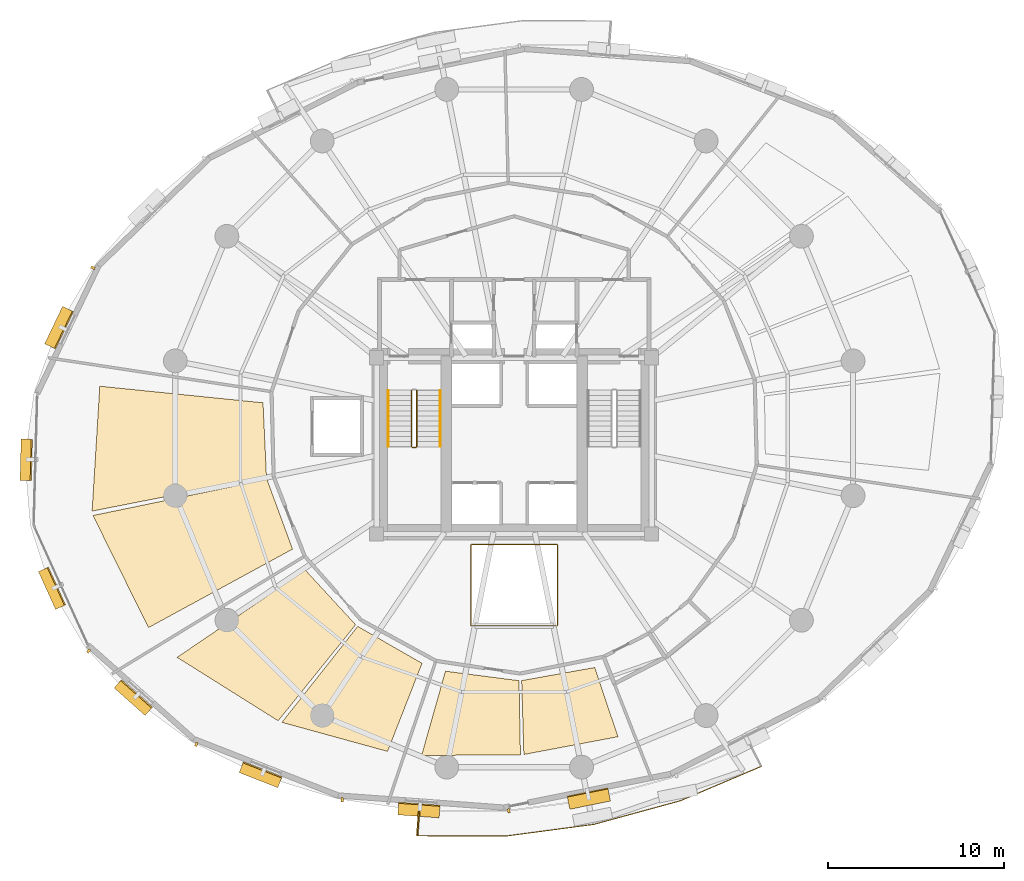
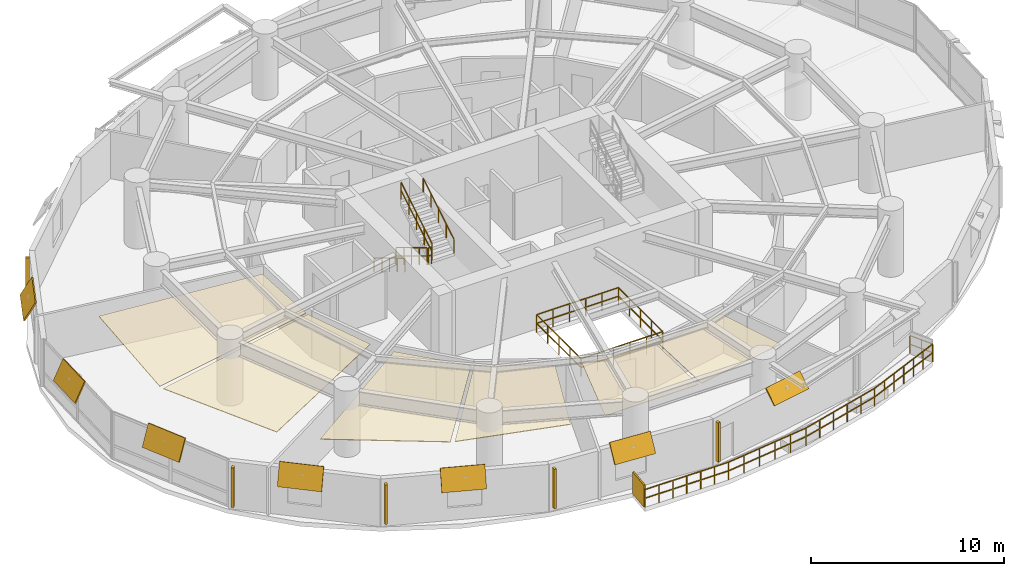
# One storey, part 15 of 17: 13 shading devices, 7 railings, 6 coverings.
"""IFC4 building model written with IfcOpenShell, lengths in metres."""

from ifc_helpers import new_model, si_unit, direction, frame, origin, origin_2d, place, context, subcontext, project, spatial, polyline, rectangle, outline, extrude, material, layer, layer_set, type_object, element, save


model = new_model("IFC4")

# Units and contexts
model_context = context("Model", 3, precision=1e-05, world=origin(), true_north=direction((0.0, 1.0)))
body_context = subcontext(model_context, "Body", "Model", "MODEL_VIEW")
ifc_project = project(units=[si_unit("LENGTHUNIT", "METRE"), si_unit("AREAUNIT", "SQUARE_METRE"), si_unit("VOLUMEUNIT", "CUBIC_METRE"), si_unit("PLANEANGLEUNIT", "RADIAN"), si_unit("MASSUNIT", "GRAM", prefix="KILO"), si_unit("THERMODYNAMICTEMPERATUREUNIT", "KELVIN"), si_unit("POWERUNIT", "WATT")], contexts=[model_context])

# Site, building, storey
site_placement = place(None, origin())
site = spatial("IfcSite", under=ifc_project, at=site_placement, CompositionType="ELEMENT")
building_placement = place(site_placement, origin())
building = spatial("IfcBuilding", under=site, at=building_placement, Name="Ocrelia Relay Tower", CompositionType="ELEMENT")
storey_placement = place(building_placement, frame((0.0, 0.0, 80.39990234375)))
storey = spatial("IfcBuildingStorey", under=building, at=storey_placement, Name="L18", CompositionType="ELEMENT", Elevation=80.39990234375)

# Coverings
ifc_material_1 = material(Name="Mineral-fiber acoustic ceiling tile", Category="gypsum")
ifc_layer_1 = layer(ifc_material_1, 0.0400390625, Name="Mineral-fiber acoustic ceiling tile")
ifc_layer_set_1 = layer_set([ifc_layer_1], Name="Mineral-fiber acoustic ceiling tile")
covering_type_1 = type_object("IfcCoveringType", Name="COV-CEIL-ACOUSTIC", PredefinedType="CEILING", material=ifc_layer_set_1)
covering_1_placement = place(storey_placement, frame((0.0, 0.0, 2.920166015625)))
element("IfcCovering", 1, at=covering_1_placement, inside=storey, type_object=covering_type_1, Name="L18 Carrier Briefing Room Suspended Ceiling 1", PredefinedType="CEILING", context=body_context, shape_type="SweptSolid", body=[
    extrude(outline(polyline([(22.15625, 17.950927734375), (14.87890625, 13.00537109375), (20.610107421875, 9.406005859375), (25.007568359375, 14.855712890625), (22.15625, 17.950927734375)])), origin(), (0.0, 0.0, 1.0), 0.0400390625),
])
covering_2_placement = place(storey_placement, frame((0.0, 0.0, 2.920166015625)))
element("IfcCovering", 2, at=covering_2_placement, inside=storey, type_object=covering_type_1, Name="L18 Carrier Briefing Room Suspended Ceiling 2", PredefinedType="CEILING", context=body_context, shape_type="SweptSolid", body=[
    extrude(outline(polyline([(25.124755859375, 14.761962890625), (20.823974609375, 9.31640625), (26.81640625, 7.669189453125), (28.77490234375, 12.667236328125), (25.124755859375, 14.761962890625)])), origin(), (0.0, 0.0, 1.0), 0.0400390625),
])
covering_3_placement = place(storey_placement, frame((0.0, 0.0, 2.920166015625)))
element("IfcCovering", 3, at=covering_3_placement, inside=storey, type_object=covering_type_1, Name="L18 Shift Staff Lounge Suspended Ceiling 1", PredefinedType="CEILING", context=body_context, shape_type="SweptSolid", body=[
    extrude(outline(polyline([(30.100830078125, 12.220947265625), (28.747802734375, 7.439208984375), (34.355712890625, 7.47509765625), (34.27490234375, 11.6826171875), (30.100830078125, 12.220947265625)])), origin(), (0.0, 0.0, 1.0), 0.0400390625),
])
covering_4_placement = place(storey_placement, frame((0.0, 0.0, 2.920166015625)))
element("IfcCovering", 4, at=covering_4_placement, inside=storey, type_object=covering_type_1, Name="L18 Shift Staff Lounge Suspended Ceiling 2", PredefinedType="CEILING", context=body_context, shape_type="SweptSolid", body=[
    extrude(outline(polyline([(34.4248046875, 11.686279296875), (34.54931640625, 7.494384765625), (39.888916015625, 8.501708984375), (38.5673828125, 12.427978515625), (34.4248046875, 11.686279296875)])), origin(), (0.0, 0.0, 1.0), 0.0400390625),
])
ifc_material_2 = material(Name="Cleanroom metal-pan acoustic ceiling", Category="aluminium")
ifc_layer_2 = layer(ifc_material_2, 0.0400390625, Name="Cleanroom metal-pan acoustic ceiling")
ifc_layer_set_2 = layer_set([ifc_layer_2], Name="Cleanroom metal-pan acoustic ceiling")
covering_type_2 = type_object("IfcCoveringType", Name="COV-CEIL-CLEAN", PredefinedType="CEILING", material=ifc_layer_set_2)
covering_5_placement = place(storey_placement, frame((0.0, 0.0, 2.920166015625)))
element("IfcCovering", 5, at=covering_5_placement, inside=storey, type_object=covering_type_2, Name="L18 Colocation Data Hall B Suspended Ceiling 1", PredefinedType="CEILING", context=body_context, shape_type="SweptSolid", body=[
    extrude(outline(polyline([(19.75341796875, 27.447021484375), (10.491943359375, 28.387939453125), (10.056640625, 21.302490234375), (19.947998046875, 23.2431640625), (19.75341796875, 27.447021484375)])), origin(), (0.0, 0.0, 1.0), 0.0400390625),
])
covering_6_placement = place(storey_placement, frame((0.0, 0.0, 2.920166015625)))
element("IfcCovering", 6, at=covering_6_placement, inside=storey, type_object=covering_type_2, Name="L18 Colocation Data Hall B Suspended Ceiling 2", PredefinedType="CEILING", context=body_context, shape_type="SweptSolid", body=[
    extrude(outline(polyline([(19.9775390625, 23.09619140625), (10.107177734375, 21.052001953125), (13.254150390625, 14.68896484375), (21.42724609375, 19.14501953125), (19.9775390625, 23.09619140625)])), origin(), (0.0, 0.0, 1.0), 0.0400390625),
])

# Railings
ifc_material_3 = material(Name="Steel S355 balustrade", Category="steel")
railing_type_1 = type_object("IfcRailingType", Name="RL-EXT-GUARD-1150", PredefinedType="GUARDRAIL", material=ifc_material_3)
railing_1_placement = place(storey_placement, frame((47.394775390625, 8.061279296875, 0.0)))
element("IfcRailing", 7, at=railing_1_placement, inside=storey, type_object=railing_type_1, Name="L18 Loggia Balcony Guard Rail B2", PredefinedType="GUARDRAIL", context=body_context, shape_type="SweptSolid", body=[
    extrude(rectangle(XDim=0.048095703125, YDim=0.048095703125, at=origin_2d()), frame((0.0, 0.0, 1.1259765625), z_axis=(0.454975235627, -0.89050409037, 0.0), x_axis=(0.89050409037, 0.454975235627, 0.0)), (0.0, 0.0, 1.0), 1.3935546875),
    extrude(rectangle(XDim=0.048095703125, YDim=0.048095703125, at=origin_2d()), frame((0.0, 0.0, 0.574951171875), z_axis=(0.454975235627, -0.89050409037, 0.0), x_axis=(0.89050409037, 0.454975235627, 0.0)), (0.0, 0.0, 1.0), 1.3935546875),
    extrude(rectangle(XDim=0.048095703125, YDim=0.048095703125, at=origin_2d()), frame((0.634033203125, -1.240966796875, 1.1259765625), z_axis=(-0.920340566421, -0.391117938478, 0.0), x_axis=(0.391117938478, -0.920340566421, 0.0)), (0.0, 0.0, 1.0), 2.5048828125),
    extrude(rectangle(XDim=0.048095703125, YDim=0.048095703125, at=origin_2d()), frame((0.634033203125, -1.240966796875, 0.574951171875), z_axis=(-0.920340566421, -0.391117938478, 0.0), x_axis=(0.391117938478, -0.920340566421, 0.0)), (0.0, 0.0, 1.0), 2.5048828125),
    extrude(rectangle(XDim=0.048095703125, YDim=0.048095703125, at=origin_2d()), frame((-1.67138671875, -2.220703125, 1.1259765625), z_axis=(-0.920355473605, -0.39108285849, 0.0), x_axis=(0.39108285849, -0.920355473605, 0.0)), (0.0, 0.0, 1.0), 2.505126953125),
    extrude(rectangle(XDim=0.048095703125, YDim=0.048095703125, at=origin_2d()), frame((-1.67138671875, -2.220703125, 0.574951171875), z_axis=(-0.920355473605, -0.39108285849, 0.0), x_axis=(0.39108285849, -0.920355473605, 0.0)), (0.0, 0.0, 1.0), 2.505126953125),
    extrude(rectangle(XDim=0.048095703125, YDim=0.048095703125, at=origin_2d()), frame((-3.97705078125, -3.200439453125, 1.1259765625), z_axis=(-0.964811636532, -0.262942020248, 0.0), x_axis=(0.262942020248, -0.964811636532, 0.0)), (0.0, 0.0, 1.0), 5.06494140625),
    extrude(rectangle(XDim=0.048095703125, YDim=0.048095703125, at=origin_2d()), frame((-3.97705078125, -3.200439453125, 0.574951171875), z_axis=(-0.964811636532, -0.262942020248, 0.0), x_axis=(0.262942020248, -0.964811636532, 0.0)), (0.0, 0.0, 1.0), 5.06494140625),
    extrude(rectangle(XDim=0.048095703125, YDim=0.048095703125, at=origin_2d()), frame((-8.86376953125, -4.5322265625, 1.1259765625), z_axis=(-0.991311471237, -0.131535421063, 0.0), x_axis=(0.131535421063, -0.991311471237, 0.0)), (0.0, 0.0, 1.0), 5.065185546875),
    extrude(rectangle(XDim=0.048095703125, YDim=0.048095703125, at=origin_2d()), frame((-8.86376953125, -4.5322265625, 0.574951171875), z_axis=(-0.991311471237, -0.131535421063, 0.0), x_axis=(0.131535421063, -0.991311471237, 0.0)), (0.0, 0.0, 1.0), 5.065185546875),
    extrude(rectangle(XDim=0.048095703125, YDim=0.048095703125, at=origin_2d()), frame((-13.885009765625, -5.198486328125, 1.1259765625), z_axis=(-0.999992015683, 0.003996069458, 0.0), x_axis=(-0.003996069458, -0.999992015683, 0.0)), (0.0, 0.0, 1.0), 2.5048828125),
    extrude(rectangle(XDim=0.048095703125, YDim=0.048095703125, at=origin_2d()), frame((-13.885009765625, -5.198486328125, 0.574951171875), z_axis=(-0.999992015683, 0.003996069458, 0.0), x_axis=(-0.003996069458, -0.999992015683, 0.0)), (0.0, 0.0, 1.0), 2.5048828125),
    extrude(rectangle(XDim=0.048095703125, YDim=0.048095703125, at=origin_2d()), frame((-16.389892578125, -5.1884765625, 1.1259765625), z_axis=(-0.999992015683, 0.003996069458, 0.0), x_axis=(-0.003996069458, -0.999992015683, 0.0)), (0.0, 0.0, 1.0), 2.5048828125),
    extrude(rectangle(XDim=0.048095703125, YDim=0.048095703125, at=origin_2d()), frame((-16.389892578125, -5.1884765625, 0.574951171875), z_axis=(-0.999992015683, 0.003996069458, 0.0), x_axis=(-0.003996069458, -0.999992015683, 0.0)), (0.0, 0.0, 1.0), 2.5048828125),
    extrude(rectangle(XDim=0.048095703125, YDim=0.048095703125, at=origin_2d()), frame((-18.894775390625, -5.178466796875, 1.1259765625), z_axis=(0.074297682243, 0.997236107656, 0.0), x_axis=(-0.997236107656, 0.074297682243, 0.0)), (0.0, 0.0, 1.0), 1.393310546875),
    extrude(rectangle(XDim=0.048095703125, YDim=0.048095703125, at=origin_2d()), frame((-18.894775390625, -5.178466796875, 0.574951171875), z_axis=(0.074297682243, 0.997236107656, 0.0), x_axis=(-0.997236107656, 0.074297682243, 0.0)), (0.0, 0.0, 1.0), 1.393310546875),
    extrude(rectangle(XDim=0.0419921875, YDim=0.0419921875, at=origin_2d()), origin(), (0.0, 0.0, 1.0), 1.101806640625),
    extrude(rectangle(XDim=0.0419921875, YDim=0.0419921875, at=origin_2d()), frame((0.31689453125, -0.62060546875, 0.0)), (0.0, 0.0, 1.0), 1.101806640625),
    extrude(rectangle(XDim=0.0419921875, YDim=0.0419921875, at=origin_2d()), frame((0.634033203125, -1.240966796875, 0.0)), (0.0, 0.0, 1.0), 1.101806640625),
    extrude(rectangle(XDim=0.0419921875, YDim=0.0419921875, at=origin_2d()), frame((-0.134521484375, -1.567626953125, 0.0)), (0.0, 0.0, 1.0), 1.101806640625),
    extrude(rectangle(XDim=0.0419921875, YDim=0.0419921875, at=origin_2d()), frame((-0.90283203125, -1.89404296875, 0.0)), (0.0, 0.0, 1.0), 1.101806640625),
    extrude(rectangle(XDim=0.0419921875, YDim=0.0419921875, at=origin_2d()), frame((-1.67138671875, -2.220703125, 0.0)), (0.0, 0.0, 1.0), 1.101806640625),
    extrude(rectangle(XDim=0.0419921875, YDim=0.0419921875, at=origin_2d()), frame((-2.43994140625, -2.54736328125, 0.0)), (0.0, 0.0, 1.0), 1.101806640625),
    extrude(rectangle(XDim=0.0419921875, YDim=0.0419921875, at=origin_2d()), frame((-3.20849609375, -2.873779296875, 0.0)), (0.0, 0.0, 1.0), 1.101806640625),
    extrude(rectangle(XDim=0.0419921875, YDim=0.0419921875, at=origin_2d()), frame((-3.97705078125, -3.200439453125, 0.0)), (0.0, 0.0, 1.0), 1.101806640625),
    extrude(rectangle(XDim=0.0419921875, YDim=0.0419921875, at=origin_2d()), frame((-4.954345703125, -3.466796875, 0.0)), (0.0, 0.0, 1.0), 1.101806640625),
    extrude(rectangle(XDim=0.0419921875, YDim=0.0419921875, at=origin_2d()), frame((-5.931640625, -3.733154296875, 0.0)), (0.0, 0.0, 1.0), 1.101806640625),
    extrude(rectangle(XDim=0.0419921875, YDim=0.0419921875, at=origin_2d()), frame((-6.9091796875, -3.99951171875, 0.0)), (0.0, 0.0, 1.0), 1.101806640625),
    extrude(rectangle(XDim=0.0419921875, YDim=0.0419921875, at=origin_2d()), frame((-7.886474609375, -4.265869140625, 0.0)), (0.0, 0.0, 1.0), 1.101806640625),
    extrude(rectangle(XDim=0.0419921875, YDim=0.0419921875, at=origin_2d()), frame((-8.86376953125, -4.5322265625, 0.0)), (0.0, 0.0, 1.0), 1.101806640625),
    extrude(rectangle(XDim=0.0419921875, YDim=0.0419921875, at=origin_2d()), frame((-9.867919921875, -4.66552734375, 0.0)), (0.0, 0.0, 1.0), 1.101806640625),
    extrude(rectangle(XDim=0.0419921875, YDim=0.0419921875, at=origin_2d()), frame((-10.872314453125, -4.798828125, 0.0)), (0.0, 0.0, 1.0), 1.101806640625),
    extrude(rectangle(XDim=0.0419921875, YDim=0.0419921875, at=origin_2d()), frame((-11.87646484375, -4.931884765625, 0.0)), (0.0, 0.0, 1.0), 1.101806640625),
    extrude(rectangle(XDim=0.0419921875, YDim=0.0419921875, at=origin_2d()), frame((-12.880859375, -5.065185546875, 0.0)), (0.0, 0.0, 1.0), 1.101806640625),
    extrude(rectangle(XDim=0.0419921875, YDim=0.0419921875, at=origin_2d()), frame((-13.885009765625, -5.198486328125, 0.0)), (0.0, 0.0, 1.0), 1.101806640625),
    extrude(rectangle(XDim=0.0419921875, YDim=0.0419921875, at=origin_2d()), frame((-14.719970703125, -5.195068359375, 0.0)), (0.0, 0.0, 1.0), 1.101806640625),
    extrude(rectangle(XDim=0.0419921875, YDim=0.0419921875, at=origin_2d()), frame((-15.554931640625, -5.19189453125, 0.0)), (0.0, 0.0, 1.0), 1.101806640625),
    extrude(rectangle(XDim=0.0419921875, YDim=0.0419921875, at=origin_2d()), frame((-16.389892578125, -5.1884765625, 0.0)), (0.0, 0.0, 1.0), 1.101806640625),
    extrude(rectangle(XDim=0.0419921875, YDim=0.0419921875, at=origin_2d()), frame((-17.224853515625, -5.18505859375, 0.0)), (0.0, 0.0, 1.0), 1.101806640625),
    extrude(rectangle(XDim=0.0419921875, YDim=0.0419921875, at=origin_2d()), frame((-18.059814453125, -5.181884765625, 0.0)), (0.0, 0.0, 1.0), 1.101806640625),
    extrude(rectangle(XDim=0.0419921875, YDim=0.0419921875, at=origin_2d()), frame((-18.894775390625, -5.178466796875, 0.0)), (0.0, 0.0, 1.0), 1.101806640625),
    extrude(rectangle(XDim=0.0419921875, YDim=0.0419921875, at=origin_2d()), frame((-18.843017578125, -4.48388671875, 0.0)), (0.0, 0.0, 1.0), 1.101806640625),
    extrude(rectangle(XDim=0.0419921875, YDim=0.0419921875, at=origin_2d()), frame((-18.791259765625, -3.7890625, 0.0)), (0.0, 0.0, 1.0), 1.101806640625),
])
ifc_material_4 = material(Name="Steel S355 atrium balustrade", Category="steel")
railing_type_2 = type_object("IfcRailingType", Name="RL-INT-GUARD-115", PredefinedType="GUARDRAIL", material=ifc_material_4)
railing_2_placement = place(storey_placement, frame((31.550048828125, 14.800048828125, 0.0)))
element("IfcRailing", 8, at=railing_2_placement, inside=storey, type_object=railing_type_2, Name="L18 Multi-Zone Interior Atrium Guard", PredefinedType="GUARDRAIL", context=body_context, shape_type="SweptSolid", body=[
    extrude(rectangle(XDim=0.048095703125, YDim=0.048095703125, at=origin_2d()), frame((0.0, 0.0, 1.1259765625), z_axis=(1.0, 0.0, 0.0), x_axis=(0.0, 1.0, 0.0)), (0.0, 0.0, 1.0), 4.89990234375),
    extrude(rectangle(XDim=0.048095703125, YDim=0.048095703125, at=origin_2d()), frame((0.0, 0.0, 0.574951171875), z_axis=(1.0, 0.0, 0.0), x_axis=(0.0, 1.0, 0.0)), (0.0, 0.0, 1.0), 4.89990234375),
    extrude(rectangle(XDim=0.048095703125, YDim=0.048095703125, at=origin_2d()), frame((4.89990234375, 0.0, 1.1259765625), z_axis=(0.0, 1.0, 0.0), x_axis=(-1.0, 0.0, 0.0)), (0.0, 0.0, 1.0), 4.599853515625),
    extrude(rectangle(XDim=0.048095703125, YDim=0.048095703125, at=origin_2d()), frame((4.89990234375, 0.0, 0.574951171875), z_axis=(0.0, 1.0, 0.0), x_axis=(-1.0, 0.0, 0.0)), (0.0, 0.0, 1.0), 4.599853515625),
    extrude(rectangle(XDim=0.048095703125, YDim=0.048095703125, at=origin_2d()), frame((4.89990234375, 4.599853515625, 1.1259765625), z_axis=(-1.0, 0.0, 0.0), x_axis=(0.0, -1.0, 0.0)), (0.0, 0.0, 1.0), 4.89990234375),
    extrude(rectangle(XDim=0.048095703125, YDim=0.048095703125, at=origin_2d()), frame((4.89990234375, 4.599853515625, 0.574951171875), z_axis=(-1.0, 0.0, 0.0), x_axis=(0.0, -1.0, 0.0)), (0.0, 0.0, 1.0), 4.89990234375),
    extrude(rectangle(XDim=0.048095703125, YDim=0.048095703125, at=origin_2d()), frame((0.0, 4.599853515625, 1.1259765625), z_axis=(0.0, -1.0, 0.0), x_axis=(1.0, 0.0, 0.0)), (0.0, 0.0, 1.0), 4.599853515625),
    extrude(rectangle(XDim=0.048095703125, YDim=0.048095703125, at=origin_2d()), frame((0.0, 4.599853515625, 0.574951171875), z_axis=(0.0, -1.0, 0.0), x_axis=(1.0, 0.0, 0.0)), (0.0, 0.0, 1.0), 4.599853515625),
    extrude(rectangle(XDim=0.0419921875, YDim=0.0419921875, at=origin_2d()), origin(), (0.0, 0.0, 1.0), 1.101806640625),
    extrude(rectangle(XDim=0.0419921875, YDim=0.0419921875, at=origin_2d()), frame((0.97998046875, 0.0, 0.0)), (0.0, 0.0, 1.0), 1.101806640625),
    extrude(rectangle(XDim=0.0419921875, YDim=0.0419921875, at=origin_2d()), frame((1.9599609375, 0.0, 0.0)), (0.0, 0.0, 1.0), 1.101806640625),
    extrude(rectangle(XDim=0.0419921875, YDim=0.0419921875, at=origin_2d()), frame((2.93994140625, 0.0, 0.0)), (0.0, 0.0, 1.0), 1.101806640625),
    extrude(rectangle(XDim=0.0419921875, YDim=0.0419921875, at=origin_2d()), frame((3.919921875, 0.0, 0.0)), (0.0, 0.0, 1.0), 1.101806640625),
    extrude(rectangle(XDim=0.0419921875, YDim=0.0419921875, at=origin_2d()), frame((4.89990234375, 0.0, 0.0)), (0.0, 0.0, 1.0), 1.101806640625),
    extrude(rectangle(XDim=0.0419921875, YDim=0.0419921875, at=origin_2d()), frame((4.89990234375, 1.14990234375, 0.0)), (0.0, 0.0, 1.0), 1.101806640625),
    extrude(rectangle(XDim=0.0419921875, YDim=0.0419921875, at=origin_2d()), frame((4.89990234375, 2.2998046875, 0.0)), (0.0, 0.0, 1.0), 1.101806640625),
    extrude(rectangle(XDim=0.0419921875, YDim=0.0419921875, at=origin_2d()), frame((4.89990234375, 3.449951171875, 0.0)), (0.0, 0.0, 1.0), 1.101806640625),
    extrude(rectangle(XDim=0.0419921875, YDim=0.0419921875, at=origin_2d()), frame((4.89990234375, 4.599853515625, 0.0)), (0.0, 0.0, 1.0), 1.101806640625),
    extrude(rectangle(XDim=0.0419921875, YDim=0.0419921875, at=origin_2d()), frame((3.919921875, 4.599853515625, 0.0)), (0.0, 0.0, 1.0), 1.101806640625),
    extrude(rectangle(XDim=0.0419921875, YDim=0.0419921875, at=origin_2d()), frame((2.93994140625, 4.599853515625, 0.0)), (0.0, 0.0, 1.0), 1.101806640625),
    extrude(rectangle(XDim=0.0419921875, YDim=0.0419921875, at=origin_2d()), frame((1.9599609375, 4.599853515625, 0.0)), (0.0, 0.0, 1.0), 1.101806640625),
    extrude(rectangle(XDim=0.0419921875, YDim=0.0419921875, at=origin_2d()), frame((0.97998046875, 4.599853515625, 0.0)), (0.0, 0.0, 1.0), 1.101806640625),
    extrude(rectangle(XDim=0.0419921875, YDim=0.0419921875, at=origin_2d()), frame((0.0, 4.599853515625, 0.0)), (0.0, 0.0, 1.0), 1.101806640625),
    extrude(rectangle(XDim=0.0419921875, YDim=0.0419921875, at=origin_2d()), frame((0.0, 3.449951171875, 0.0)), (0.0, 0.0, 1.0), 1.101806640625),
    extrude(rectangle(XDim=0.0419921875, YDim=0.0419921875, at=origin_2d()), frame((0.0, 2.2998046875, 0.0)), (0.0, 0.0, 1.0), 1.101806640625),
    extrude(rectangle(XDim=0.0419921875, YDim=0.0419921875, at=origin_2d()), frame((0.0, 1.14990234375, 0.0)), (0.0, 0.0, 1.0), 1.101806640625),
])
railing_type_3 = type_object("IfcRailingType", Name="RL-STAIR-GUARD", PredefinedType="GUARDRAIL", material=ifc_material_3)
railing_3_placement = place(storey_placement, frame((28.179931640625, 28.14990234375, 0.175048828125)))
element("IfcRailing", 9, at=railing_3_placement, inside=storey, type_object=railing_type_3, Name="L18 ST1 stair guard 1", PredefinedType="GUARDRAIL", context=body_context, shape_type="SweptSolid", body=[
    extrude(rectangle(XDim=0.048095703125, YDim=0.048095703125, at=origin_2d()), frame((0.0, 0.0, 1.076171875), z_axis=(0.0, -0.856177665481, 0.516681531633), x_axis=(1.0, 0.0, 0.0)), (0.0, 0.0, 1.0), 3.725830078125),
    extrude(rectangle(XDim=0.048095703125, YDim=0.048095703125, at=origin_2d()), frame((0.0, 0.0, 0.550048828125), z_axis=(0.0, -0.856177665481, 0.516681531633), x_axis=(1.0, 0.0, 0.0)), (0.0, 0.0, 1.0), 3.725830078125),
    extrude(rectangle(XDim=0.0419921875, YDim=0.0419921875, at=origin_2d()), origin(), (0.0, 0.0, 1.0), 1.052001953125),
    extrude(rectangle(XDim=0.0419921875, YDim=0.0419921875, at=origin_2d()), frame((0.0, -0.79736328125, 0.481201171875)), (0.0, 0.0, 1.0), 1.052001953125),
    extrude(rectangle(XDim=0.0419921875, YDim=0.0419921875, at=origin_2d()), frame((0.0, -1.594970703125, 0.96240234375)), (0.0, 0.0, 1.0), 1.052001953125),
    extrude(rectangle(XDim=0.0419921875, YDim=0.0419921875, at=origin_2d()), frame((0.0, -2.392578125, 1.44384765625)), (0.0, 0.0, 1.0), 1.052001953125),
    extrude(rectangle(XDim=0.0419921875, YDim=0.0419921875, at=origin_2d()), frame((0.0, -3.18994140625, 1.925048828125)), (0.0, 0.0, 1.0), 1.052001953125),
])
railing_4_placement = place(storey_placement, frame((28.22998046875, 24.909912109375, 2.10009765625)))
element("IfcRailing", 10, at=railing_4_placement, inside=storey, type_object=railing_type_3, Name="L18 ST1 stair guard 2", PredefinedType="GUARDRAIL", context=body_context, shape_type="SweptSolid", body=[
    extrude(rectangle(XDim=0.048095703125, YDim=0.048095703125, at=origin_2d()), frame((0.0, 0.0, 1.076171875), z_axis=(1.0, 0.0, 0.0), x_axis=(0.0, 1.0, 0.0)), (0.0, 0.0, 1.0), 0.199951171875),
    extrude(rectangle(XDim=0.048095703125, YDim=0.048095703125, at=origin_2d()), frame((0.0, 0.0, 0.550048828125), z_axis=(1.0, 0.0, 0.0), x_axis=(0.0, 1.0, 0.0)), (0.0, 0.0, 1.0), 0.199951171875),
    extrude(rectangle(XDim=0.0419921875, YDim=0.0419921875, at=origin_2d()), origin(), (0.0, 0.0, 1.0), 1.052001953125),
    extrude(rectangle(XDim=0.0419921875, YDim=0.0419921875, at=origin_2d()), frame((0.199951171875, 0.0, 0.0)), (0.0, 0.0, 1.0), 1.052001953125),
])
railing_5_placement = place(storey_placement, frame((28.47998046875, 24.9599609375, 2.275146484375)))
element("IfcRailing", 11, at=railing_5_placement, inside=storey, type_object=railing_type_3, Name="L18 ST1 stair guard 3", PredefinedType="GUARDRAIL", context=body_context, shape_type="SweptSolid", body=[
    extrude(rectangle(XDim=0.048095703125, YDim=0.048095703125, at=origin_2d()), frame((0.0, 0.0, 1.076171875), z_axis=(0.0, 0.856177665481, 0.516681531633), x_axis=(-1.0, 0.0, 0.0)), (0.0, 0.0, 1.0), 3.725830078125),
    extrude(rectangle(XDim=0.048095703125, YDim=0.048095703125, at=origin_2d()), frame((0.0, 0.0, 0.550048828125), z_axis=(0.0, 0.856177665481, 0.516681531633), x_axis=(-1.0, 0.0, 0.0)), (0.0, 0.0, 1.0), 3.725830078125),
    extrude(rectangle(XDim=0.0419921875, YDim=0.0419921875, at=origin_2d()), origin(), (0.0, 0.0, 1.0), 1.052001953125),
    extrude(rectangle(XDim=0.0419921875, YDim=0.0419921875, at=origin_2d()), frame((0.0, 0.79736328125, 0.481201171875)), (0.0, 0.0, 1.0), 1.052001953125),
    extrude(rectangle(XDim=0.0419921875, YDim=0.0419921875, at=origin_2d()), frame((0.0, 1.594970703125, 0.96240234375)), (0.0, 0.0, 1.0), 1.052001953125),
    extrude(rectangle(XDim=0.0419921875, YDim=0.0419921875, at=origin_2d()), frame((0.0, 2.392578125, 1.44384765625)), (0.0, 0.0, 1.0), 1.052001953125),
    extrude(rectangle(XDim=0.0419921875, YDim=0.0419921875, at=origin_2d()), frame((0.0, 3.18994140625, 1.925048828125)), (0.0, 0.0, 1.0), 1.052001953125),
])
ifc_material_5 = material(Name="Steel S355 tubular handrail", Category="steel")
railing_type_4 = type_object("IfcRailingType", Name="RL-STAIR-HAND", PredefinedType="HANDRAIL", material=ifc_material_5)
railing_6_placement = place(storey_placement, frame((26.860107421875, 28.14990234375, 0.175048828125)))
element("IfcRailing", 12, at=railing_6_placement, inside=storey, type_object=railing_type_4, Name="L18 ST1 stair handrail 1", PredefinedType="HANDRAIL", context=body_context, shape_type="SweptSolid", body=[
    extrude(rectangle(XDim=0.048095703125, YDim=0.048095703125, at=origin_2d()), frame((0.0, 0.0, 0.8759765625), z_axis=(0.0, -0.856177665481, 0.516681531633), x_axis=(1.0, 0.0, 0.0)), (0.0, 0.0, 1.0), 3.725830078125),
    extrude(rectangle(XDim=0.0419921875, YDim=0.0419921875, at=origin_2d()), origin(), (0.0, 0.0, 1.0), 0.851806640625),
    extrude(rectangle(XDim=0.0419921875, YDim=0.0419921875, at=origin_2d()), frame((0.0, -0.79736328125, 0.481201171875)), (0.0, 0.0, 1.0), 0.851806640625),
    extrude(rectangle(XDim=0.0419921875, YDim=0.0419921875, at=origin_2d()), frame((0.0, -1.594970703125, 0.96240234375)), (0.0, 0.0, 1.0), 0.851806640625),
    extrude(rectangle(XDim=0.0419921875, YDim=0.0419921875, at=origin_2d()), frame((0.0, -2.392578125, 1.44384765625)), (0.0, 0.0, 1.0), 0.851806640625),
    extrude(rectangle(XDim=0.0419921875, YDim=0.0419921875, at=origin_2d()), frame((0.0, -3.18994140625, 1.925048828125)), (0.0, 0.0, 1.0), 0.851806640625),
])
railing_7_placement = place(storey_placement, frame((29.800048828125, 24.9599609375, 2.275146484375)))
element("IfcRailing", 13, at=railing_7_placement, inside=storey, type_object=railing_type_4, Name="L18 ST1 stair handrail 2", PredefinedType="HANDRAIL", context=body_context, shape_type="SweptSolid", body=[
    extrude(rectangle(XDim=0.048095703125, YDim=0.048095703125, at=origin_2d()), frame((0.0, 0.0, 0.8759765625), z_axis=(0.0, 0.856177665481, 0.516681531633), x_axis=(-1.0, 0.0, 0.0)), (0.0, 0.0, 1.0), 3.725830078125),
    extrude(rectangle(XDim=0.0419921875, YDim=0.0419921875, at=origin_2d()), origin(), (0.0, 0.0, 1.0), 0.851806640625),
    extrude(rectangle(XDim=0.0419921875, YDim=0.0419921875, at=origin_2d()), frame((0.0, 0.79736328125, 0.481201171875)), (0.0, 0.0, 1.0), 0.851806640625),
    extrude(rectangle(XDim=0.0419921875, YDim=0.0419921875, at=origin_2d()), frame((0.0, 1.594970703125, 0.96240234375)), (0.0, 0.0, 1.0), 0.851806640625),
    extrude(rectangle(XDim=0.0419921875, YDim=0.0419921875, at=origin_2d()), frame((0.0, 2.392578125, 1.44384765625)), (0.0, 0.0, 1.0), 0.851806640625),
    extrude(rectangle(XDim=0.0419921875, YDim=0.0419921875, at=origin_2d()), frame((0.0, 3.18994140625, 1.925048828125)), (0.0, 0.0, 1.0), 0.851806640625),
])

# Shading devices
ifc_material_6 = material(Name="Perforated oxide terracotta solar screen", Category="masonry")
ifc_layer_3 = layer(ifc_material_6, 0.090087890625, Name="Perforated oxide terracotta solar screen")
ifc_layer_set_3 = layer_set([ifc_layer_3], Name="Perforated oxide terracotta solar screen")
shading_device_type_1 = type_object("IfcShadingDeviceType", Name="SH-BALC-SCREEN", PredefinedType="USERDEFINED", material=ifc_layer_set_3)
shading_device_1_placement = place(storey_placement, frame((28.5517578125, 3.577392578125, 0.000244140625), z_axis=(0.0, 0.0, 1.0), x_axis=(-0.074347492916, -0.997232395331, 0.0)))
element("IfcShadingDevice", 14, at=shading_device_1_placement, inside=storey, type_object=shading_device_type_1, Name="L18 Balcony Perforated Terracotta Screen B2-1", ObjectType="SCREEN", PredefinedType="USERDEFINED", context=body_context, shape_type="SweptSolid", body=[
    extrude(rectangle(XDim=1.340087890625, YDim=0.090087890625, at=origin_2d()), origin(), (0.0, 0.0, 1.0), 1.39990234375),
])
ifc_material_7 = material(Name="Extruded oxide terracotta vertical baguette", Category="masonry")
shading_device_type_2 = type_object("IfcShadingDeviceType", Name="SH-TERR-BAGUETTE", PredefinedType="USERDEFINED", material=ifc_material_7)
for number, where, z_axis, x_axis, name in (
    (15, (10.106689453125, 35.0947265625, 0.25), (0.0, 0.0, 1.0), (-0.432075612139, -0.90183738301, 0.0), "L18 Oxide Terracotta Vertical Baguette 08"),
    (16, (9.858642578125, 13.364013671875, 0.25), (0.0, 0.0, 1.0), (0.747787489768, -0.66393815235, 0.0), "L18 Oxide Terracotta Vertical Baguette 11"),
    (17, (15.97021484375, 8.06787109375, 0.25), (0.0, 0.0, 1.0), (0.931454217698, -0.363858544399, 0.0), "L18 Oxide Terracotta Vertical Baguette 12"),
    (18, (24.242919921875, 4.923095703125, 0.25), (0.0, 0.0, 1.0), (0.997337924798, -0.072918199093, 0.0), "L18 Oxide Terracotta Vertical Baguette 13"),
    (19, (33.694580078125, 4.305419921875, 0.25), (0.0, 0.0, 1.0), (0.980271929721, 0.197653595466, 0.0), "L18 Oxide Terracotta Vertical Baguette 14"),
):
    element("IfcShadingDevice", number, at=place(storey_placement, frame(where, z_axis=z_axis, x_axis=x_axis)), inside=storey, type_object=shading_device_type_2, Name=name, ObjectType="BAGUETTE", PredefinedType="USERDEFINED", context=body_context, shape_type="SweptSolid", body=[
        extrude(rectangle(XDim=0.139892578125, YDim=0.239990234375, at=origin_2d()), origin(), (0.0, 0.0, 1.0), 2.5),
    ])
ifc_material_8 = material(Name="Extruded oxide terracotta fin", Category="masonry")
ifc_layer_4 = layer(ifc_material_8, 0.080078125, Name="Extruded oxide terracotta fin")
ifc_layer_set_4 = layer_set([ifc_layer_4], Name="Extruded oxide terracotta fin")
shading_device_type_3 = type_object("IfcShadingDeviceType", Name="SH-VISOR-FIN-DEEP", PredefinedType="USERDEFINED", material=ifc_layer_set_4)
shading_device_2_placement = place(storey_placement, frame((8.21337890625, 31.69091796875, 2.82080078125), z_axis=(-0.789145993366, 0.378084502344, 0.484046186062), x_axis=(-0.432075612139, -0.90183738301, 0.0)))
element("IfcShadingDevice", 20, at=shading_device_2_placement, inside=storey, type_object=shading_device_type_3, Name="L18 Canted Terracotta Sun-Visor Fin 08", ObjectType="FIN", PredefinedType="USERDEFINED", context=body_context, shape_type="SweptSolid", body=[
    extrude(rectangle(XDim=2.35009765625, YDim=1.26806640625, at=origin_2d()), origin(), (0.0, 0.0, 1.0), 0.080078125),
])
shading_device_3_placement = place(storey_placement, frame((6.35693359375, 24.206298828125, 2.82275390625), z_axis=(-0.901196549065, 0.024541798513, 0.43271524133), x_axis=(-0.027222367212, -0.999629402691, 0.0)))
element("IfcShadingDevice", 21, at=shading_device_3_placement, inside=storey, type_object=shading_device_type_3, Name="L18 Canted Terracotta Sun-Visor Fin 09", ObjectType="FIN", PredefinedType="USERDEFINED", context=body_context, shape_type="SweptSolid", body=[
    extrude(rectangle(XDim=2.35009765625, YDim=1.322998046875, at=origin_2d()), origin(), (0.0, 0.0, 1.0), 0.080078125),
])
shading_device_4_placement = place(storey_placement, frame((7.8154296875, 16.939453125, 2.82373046875), z_axis=(-0.831370292802, -0.376429486608, 0.408808363244), x_axis=(0.41247110864, -0.910970682589, 0.0)))
element("IfcShadingDevice", 22, at=shading_device_4_placement, inside=storey, type_object=shading_device_type_3, Name="L18 Canted Terracotta Sun-Visor Fin 10", ObjectType="FIN", PredefinedType="USERDEFINED", context=body_context, shape_type="SweptSolid", body=[
    extrude(rectangle(XDim=2.35009765625, YDim=1.347900390625, at=origin_2d()), origin(), (0.0, 0.0, 1.0), 0.080078125),
])
shading_device_5_placement = place(storey_placement, frame((12.41748046875, 10.75, 2.823486328125), z_axis=(-0.604733330605, -0.681105638638, 0.412786516097), x_axis=(0.747787489768, -0.66393815235, 0.0)))
element("IfcShadingDevice", 23, at=shading_device_5_placement, inside=storey, type_object=shading_device_type_3, Name="L18 Canted Terracotta Sun-Visor Fin 11", ObjectType="FIN", PredefinedType="USERDEFINED", context=body_context, shape_type="SweptSolid", body=[
    extrude(rectangle(XDim=2.35009765625, YDim=1.343994140625, at=origin_2d()), origin(), (0.0, 0.0, 1.0), 0.080078125),
])
shading_device_6_placement = place(storey_placement, frame((19.628662109375, 6.3798828125, 2.822021484375), z_axis=(-0.3242867849, -0.830153086106, 0.453523907604), x_axis=(0.931454217698, -0.363858544399, 0.0)))
element("IfcShadingDevice", 24, at=shading_device_6_placement, inside=storey, type_object=shading_device_type_3, Name="L18 Canted Terracotta Sun-Visor Fin 12", ObjectType="FIN", PredefinedType="USERDEFINED", context=body_context, shape_type="SweptSolid", body=[
    extrude(rectangle(XDim=2.35009765625, YDim=1.301025390625, at=origin_2d()), origin(), (0.0, 0.0, 1.0), 0.080078125),
])
shading_device_7_placement = place(storey_placement, frame((28.599365234375, 4.37841796875, 2.818359375), z_axis=(-0.06123048029, -0.837479270016, 0.543027900367), x_axis=(0.997337924798, -0.072918199093, 0.0)))
element("IfcShadingDevice", 25, at=shading_device_7_placement, inside=storey, type_object=shading_device_type_3, Name="L18 Canted Terracotta Sun-Visor Fin 13", ObjectType="FIN", PredefinedType="USERDEFINED", context=body_context, shape_type="SweptSolid", body=[
    extrude(rectangle(XDim=2.35009765625, YDim=1.201904296875, at=origin_2d()), origin(), (0.0, 0.0, 1.0), 0.080078125),
])
ifc_layer_5 = layer(ifc_material_8, 0.080078125, Name="Extruded oxide terracotta fin")
ifc_layer_set_5 = layer_set([ifc_layer_5], Name="Extruded oxide terracotta fin")
shading_device_type_4 = type_object("IfcShadingDeviceType", Name="SH-VISOR-FIN-MED", PredefinedType="USERDEFINED", material=ifc_layer_set_5)
shading_device_8_placement = place(storey_placement, frame((38.229736328125, 5.023193359375, 2.81298828125), z_axis=(0.146051363389, -0.724348330171, 0.673786684219), x_axis=(0.980271929721, 0.197653595466, 0.0)))
element("IfcShadingDevice", 26, at=shading_device_8_placement, inside=storey, type_object=shading_device_type_4, Name="L18 Canted Terracotta Sun-Visor Fin 14", ObjectType="FIN", PredefinedType="USERDEFINED", context=body_context, shape_type="SweptSolid", body=[
    extrude(rectangle(XDim=2.35009765625, YDim=1.0439453125, at=origin_2d()), origin(), (0.0, 0.0, 1.0), 0.080078125),
])

save(model, "model.ifc")
